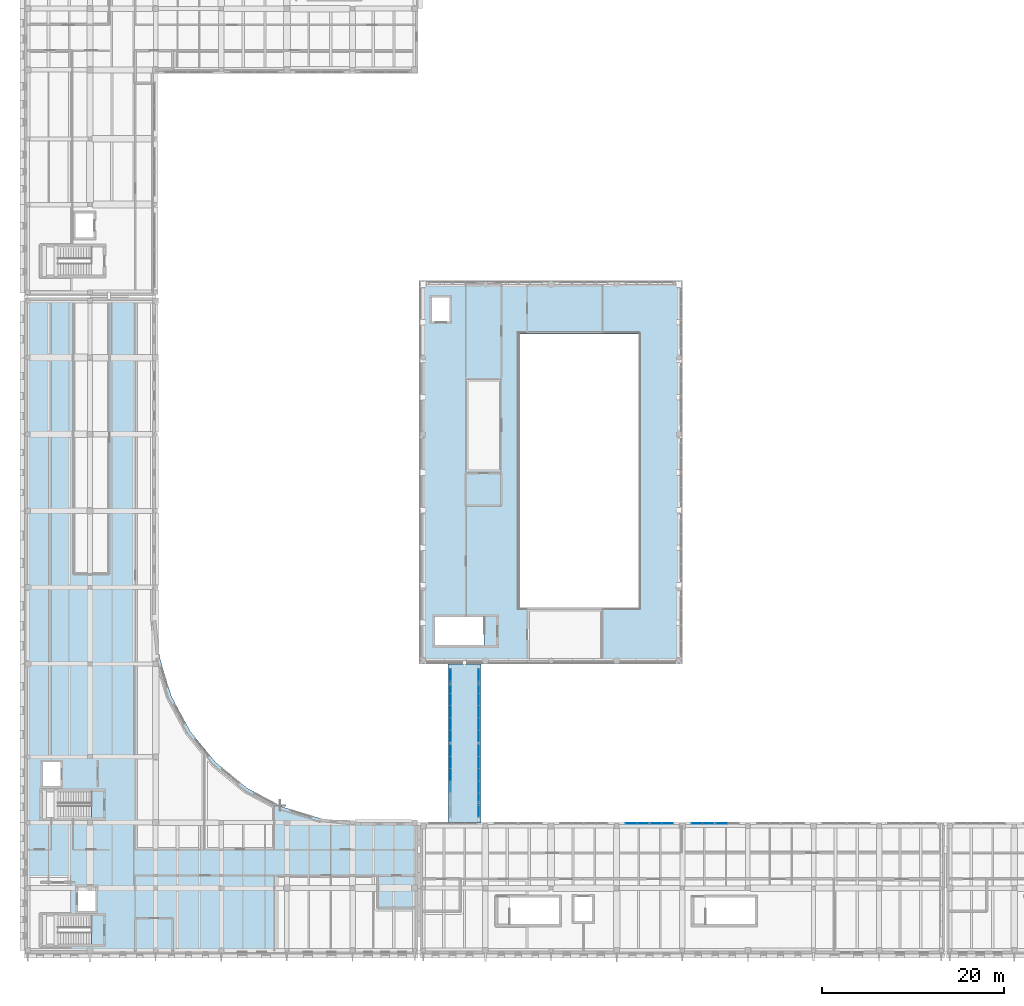
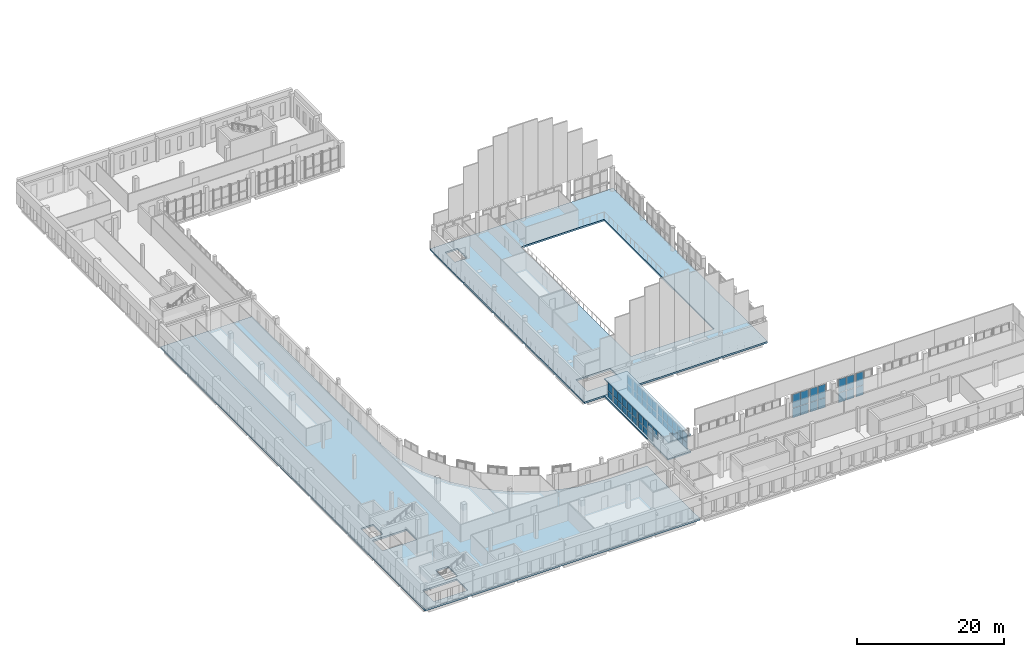
# One storey, part 39 of 76: 57 plates, 4 slabs, 8 elements without a shape of their own.
"""IFC4 building model written with IfcOpenShell, lengths in metres."""

from ifc_helpers import new_model, si_unit, direction, frame, origin, origin_2d, place, context, subcontext, project, spatial, polyline, rectangle, outline, extrude, material, layer, layer_set, type_object, element, aggregate, save


model = new_model("IFC4")

# Units and contexts
model_context = context("Model", 3, precision=1e-05, world=origin(), true_north=direction((0.0, 1.0)))
body_context = subcontext(model_context, "Body", "Model", "MODEL_VIEW")
ifc_project = project(units=[si_unit("LENGTHUNIT", "METRE"), si_unit("AREAUNIT", "SQUARE_METRE"), si_unit("VOLUMEUNIT", "CUBIC_METRE"), si_unit("PLANEANGLEUNIT", "RADIAN"), si_unit("MASSUNIT", "GRAM", prefix="KILO")], contexts=[model_context])

# Site, building, storey
site_placement = place(None, origin())
site = spatial("IfcSite", under=ifc_project, at=site_placement, CompositionType="ELEMENT")
building_placement = place(site_placement, origin())
building = spatial("IfcBuilding", under=site, at=building_placement, Name="Vardoun Plaza Health Centre", CompositionType="ELEMENT")
storey_placement = place(building_placement, frame((0.0, 0.0, 4.5)))
storey = spatial("IfcBuildingStorey", under=building, at=storey_placement, Name="L01", CompositionType="ELEMENT", Elevation=4.5)

# Curtain wall, plates
ifc_material_1 = material(Name="Aluminium Alloy EN AW-6063-T6 and Low-E Glass", Category="aluminium")
ifc_layer_1 = layer(ifc_material_1, 0.14990234375)
ifc_layer_set_1 = layer_set([ifc_layer_1], Name="Aluminium Alloy EN AW-6063-T6 and Low-E Glass")
curtain_wall_type = type_object("IfcCurtainWallType", Name="CW-03", PredefinedType="NOTDEFINED", material=ifc_layer_set_1)
curtain_wall_1_placement = place(storey_placement, origin())
curtain_wall_1 = element("IfcCurtainWall", 1, at=curtain_wall_1_placement, inside=storey, type_object=curtain_wall_type, Name="Curtain Wall CW-V4-123", PredefinedType="NOTDEFINED")
ifc_material_2 = material(Name="Solar-Control Double Low-E Glazing", Category="glass")
ifc_layer_2 = layer(ifc_material_2, 0.028076171875)
ifc_layer_set_2 = layer_set([ifc_layer_2], Name="Solar-Control Double Low-E Glazing")
plate_type = type_object("IfcPlateType", Name="CW-P1", PredefinedType="CURTAIN_PANEL", material=ifc_layer_set_2)
plate_1_placement = place(storey_placement, frame((71.094970703125, 18.780029296875, 0.06005859375), z_axis=(0.0, 0.0, 1.0), x_axis=(1.0, 0.0, 0.0)))
plate_1 = element("IfcPlate", 2, at=plate_1_placement, type_object=plate_type, Name="CW-V4-123 panel 1.1", PredefinedType="CURTAIN_PANEL", context=body_context, shape_type="SweptSolid", body=[
    extrude(rectangle(XDim=1.18994140625, YDim=0.028076171875, at=origin_2d()), origin(), (0.0, 0.0, 1.0), 1.587890625),
])
plate_2_placement = place(storey_placement, frame((71.094970703125, 18.780029296875, 1.7080078125), z_axis=(0.0, 0.0, 1.0), x_axis=(1.0, 0.0, 0.0)))
plate_2 = element("IfcPlate", 3, at=plate_2_placement, type_object=plate_type, Name="CW-V4-123 panel 1.2", PredefinedType="CURTAIN_PANEL", context=body_context, shape_type="SweptSolid", body=[
    extrude(rectangle(XDim=1.18994140625, YDim=0.028076171875, at=origin_2d()), origin(), (0.0, 0.0, 1.0), 2.22705078125),
])
plate_3_placement = place(storey_placement, frame((72.344970703125, 18.780029296875, 0.06005859375), z_axis=(0.0, 0.0, 1.0), x_axis=(1.0, 0.0, 0.0)))
plate_3 = element("IfcPlate", 4, at=plate_3_placement, type_object=plate_type, Name="CW-V4-123 panel 2.1", PredefinedType="CURTAIN_PANEL", context=body_context, shape_type="SweptSolid", body=[
    extrude(rectangle(XDim=1.18994140625, YDim=0.028076171875, at=origin_2d()), origin(), (0.0, 0.0, 1.0), 1.587890625),
])
plate_4_placement = place(storey_placement, frame((72.344970703125, 18.780029296875, 1.7080078125), z_axis=(0.0, 0.0, 1.0), x_axis=(1.0, 0.0, 0.0)))
plate_4 = element("IfcPlate", 5, at=plate_4_placement, type_object=plate_type, Name="CW-V4-123 panel 2.2", PredefinedType="CURTAIN_PANEL", context=body_context, shape_type="SweptSolid", body=[
    extrude(rectangle(XDim=1.18994140625, YDim=0.028076171875, at=origin_2d()), origin(), (0.0, 0.0, 1.0), 2.22705078125),
])
aggregate(curtain_wall_1, [plate_1, plate_2, plate_3, plate_4])

curtain_wall_2_placement = place(storey_placement, origin())
curtain_wall_2 = element("IfcCurtainWall", 6, at=curtain_wall_2_placement, inside=storey, type_object=curtain_wall_type, Name="Curtain Wall CW-V4-124", PredefinedType="NOTDEFINED")
plate_5_placement = place(storey_placement, frame((73.81494140625, 18.780029296875, 0.06005859375), z_axis=(0.0, 0.0, 1.0), x_axis=(1.0, 0.0, 0.0)))
plate_5 = element("IfcPlate", 7, at=plate_5_placement, type_object=plate_type, Name="CW-V4-124 panel 1.1", PredefinedType="CURTAIN_PANEL", context=body_context, shape_type="SweptSolid", body=[
    extrude(rectangle(XDim=1.18994140625, YDim=0.028076171875, at=origin_2d()), origin(), (0.0, 0.0, 1.0), 1.587890625),
])
plate_6_placement = place(storey_placement, frame((73.81494140625, 18.780029296875, 1.7080078125), z_axis=(0.0, 0.0, 1.0), x_axis=(1.0, 0.0, 0.0)))
plate_6 = element("IfcPlate", 8, at=plate_6_placement, type_object=plate_type, Name="CW-V4-124 panel 1.2", PredefinedType="CURTAIN_PANEL", context=body_context, shape_type="SweptSolid", body=[
    extrude(rectangle(XDim=1.18994140625, YDim=0.028076171875, at=origin_2d()), origin(), (0.0, 0.0, 1.0), 2.22705078125),
])
plate_7_placement = place(storey_placement, frame((75.06494140625, 18.780029296875, 0.06005859375), z_axis=(0.0, 0.0, 1.0), x_axis=(1.0, 0.0, 0.0)))
plate_7 = element("IfcPlate", 9, at=plate_7_placement, type_object=plate_type, Name="CW-V4-124 panel 2.1", PredefinedType="CURTAIN_PANEL", context=body_context, shape_type="SweptSolid", body=[
    extrude(rectangle(XDim=1.18994140625, YDim=0.028076171875, at=origin_2d()), origin(), (0.0, 0.0, 1.0), 1.587890625),
])
plate_8_placement = place(storey_placement, frame((75.06494140625, 18.780029296875, 1.7080078125), z_axis=(0.0, 0.0, 1.0), x_axis=(1.0, 0.0, 0.0)))
plate_8 = element("IfcPlate", 10, at=plate_8_placement, type_object=plate_type, Name="CW-V4-124 panel 2.2", PredefinedType="CURTAIN_PANEL", context=body_context, shape_type="SweptSolid", body=[
    extrude(rectangle(XDim=1.18994140625, YDim=0.028076171875, at=origin_2d()), origin(), (0.0, 0.0, 1.0), 2.22705078125),
])
aggregate(curtain_wall_2, [plate_5, plate_6, plate_7, plate_8])

curtain_wall_3_placement = place(storey_placement, origin())
curtain_wall_3 = element("IfcCurtainWall", 11, at=curtain_wall_3_placement, inside=storey, type_object=curtain_wall_type, Name="Curtain Wall CW-V4-125", PredefinedType="NOTDEFINED")
plate_9_placement = place(storey_placement, frame((78.294921875, 18.780029296875, 0.06005859375), z_axis=(0.0, 0.0, 1.0), x_axis=(1.0, 0.0, 0.0)))
plate_9 = element("IfcPlate", 12, at=plate_9_placement, type_object=plate_type, Name="CW-V4-125 panel 1.1", PredefinedType="CURTAIN_PANEL", context=body_context, shape_type="SweptSolid", body=[
    extrude(rectangle(XDim=1.18994140625, YDim=0.028076171875, at=origin_2d()), origin(), (0.0, 0.0, 1.0), 1.587890625),
])
plate_10_placement = place(storey_placement, frame((78.294921875, 18.780029296875, 1.7080078125), z_axis=(0.0, 0.0, 1.0), x_axis=(1.0, 0.0, 0.0)))
plate_10 = element("IfcPlate", 13, at=plate_10_placement, type_object=plate_type, Name="CW-V4-125 panel 1.2", PredefinedType="CURTAIN_PANEL", context=body_context, shape_type="SweptSolid", body=[
    extrude(rectangle(XDim=1.18994140625, YDim=0.028076171875, at=origin_2d()), origin(), (0.0, 0.0, 1.0), 2.22705078125),
])
plate_11_placement = place(storey_placement, frame((79.544921875, 18.780029296875, 0.06005859375), z_axis=(0.0, 0.0, 1.0), x_axis=(1.0, 0.0, 0.0)))
plate_11 = element("IfcPlate", 14, at=plate_11_placement, type_object=plate_type, Name="CW-V4-125 panel 2.1", PredefinedType="CURTAIN_PANEL", context=body_context, shape_type="SweptSolid", body=[
    extrude(rectangle(XDim=1.18994140625, YDim=0.028076171875, at=origin_2d()), origin(), (0.0, 0.0, 1.0), 1.587890625),
])
plate_12_placement = place(storey_placement, frame((79.544921875, 18.780029296875, 1.7080078125), z_axis=(0.0, 0.0, 1.0), x_axis=(1.0, 0.0, 0.0)))
plate_12 = element("IfcPlate", 15, at=plate_12_placement, type_object=plate_type, Name="CW-V4-125 panel 2.2", PredefinedType="CURTAIN_PANEL", context=body_context, shape_type="SweptSolid", body=[
    extrude(rectangle(XDim=1.18994140625, YDim=0.028076171875, at=origin_2d()), origin(), (0.0, 0.0, 1.0), 2.22705078125),
])
aggregate(curtain_wall_3, [plate_9, plate_10, plate_11, plate_12])

curtain_wall_4_placement = place(storey_placement, origin())
curtain_wall_4 = element("IfcCurtainWall", 16, at=curtain_wall_4_placement, inside=storey, type_object=curtain_wall_type, Name="Curtain Wall CW-V4-126", PredefinedType="NOTDEFINED")
plate_13_placement = place(storey_placement, frame((81.014892578125, 18.780029296875, 0.06005859375), z_axis=(0.0, 0.0, 1.0), x_axis=(1.0, 0.0, 0.0)))
plate_13 = element("IfcPlate", 17, at=plate_13_placement, type_object=plate_type, Name="CW-V4-126 panel 1.1", PredefinedType="CURTAIN_PANEL", context=body_context, shape_type="SweptSolid", body=[
    extrude(rectangle(XDim=1.18994140625, YDim=0.028076171875, at=origin_2d()), origin(), (0.0, 0.0, 1.0), 1.587890625),
])
plate_14_placement = place(storey_placement, frame((81.014892578125, 18.780029296875, 1.7080078125), z_axis=(0.0, 0.0, 1.0), x_axis=(1.0, 0.0, 0.0)))
plate_14 = element("IfcPlate", 18, at=plate_14_placement, type_object=plate_type, Name="CW-V4-126 panel 1.2", PredefinedType="CURTAIN_PANEL", context=body_context, shape_type="SweptSolid", body=[
    extrude(rectangle(XDim=1.18994140625, YDim=0.028076171875, at=origin_2d()), origin(), (0.0, 0.0, 1.0), 2.22705078125),
])
aggregate(curtain_wall_4, [plate_13, plate_14])

curtain_wall_5_placement = place(storey_placement, origin())
curtain_wall_5 = element("IfcCurtainWall", 19, at=curtain_wall_5_placement, inside=storey, type_object=curtain_wall_type, Name="Curtain Wall CW-BR-6WS", PredefinedType="NOTDEFINED")
plate_15_placement = place(storey_placement, frame((51.25, 22.80419921875, 1.14306640625), z_axis=(0.0, 0.0, 1.0), x_axis=(0.0, 1.0, 0.0)))
plate_15 = element("IfcPlate", 20, at=plate_15_placement, type_object=plate_type, Name="CW-BR-6WS panel 3.2", PredefinedType="CURTAIN_PANEL", context=body_context, shape_type="SweptSolid", body=[
    extrude(rectangle(XDim=1.28173828125, YDim=0.028076171875, at=origin_2d()), origin(), (0.0, 0.0, 1.0), 1.447021484375),
])
plate_16_placement = place(storey_placement, frame((51.25, 24.145751953125, 0.06005859375), z_axis=(0.0, 0.0, 1.0), x_axis=(0.0, 1.0, 0.0)))
plate_16 = element("IfcPlate", 21, at=plate_16_placement, type_object=plate_type, Name="CW-BR-6WS panel 4.1", PredefinedType="CURTAIN_PANEL", context=body_context, shape_type="SweptSolid", body=[
    extrude(rectangle(XDim=1.28173828125, YDim=0.028076171875, at=origin_2d()), origin(), (0.0, 0.0, 1.0), 1.02294921875),
])
plate_17_placement = place(storey_placement, frame((51.25, 24.145751953125, 1.14306640625), z_axis=(0.0, 0.0, 1.0), x_axis=(0.0, 1.0, 0.0)))
plate_17 = element("IfcPlate", 22, at=plate_17_placement, type_object=plate_type, Name="CW-BR-6WS panel 4.2", PredefinedType="CURTAIN_PANEL", context=body_context, shape_type="SweptSolid", body=[
    extrude(rectangle(XDim=1.28173828125, YDim=0.028076171875, at=origin_2d()), origin(), (0.0, 0.0, 1.0), 1.447021484375),
])
plate_18_placement = place(storey_placement, frame((51.25, 25.487548828125, 0.06005859375), z_axis=(0.0, 0.0, 1.0), x_axis=(0.0, 1.0, 0.0)))
plate_18 = element("IfcPlate", 23, at=plate_18_placement, type_object=plate_type, Name="CW-BR-6WS panel 5.1", PredefinedType="CURTAIN_PANEL", context=body_context, shape_type="SweptSolid", body=[
    extrude(rectangle(XDim=1.28173828125, YDim=0.028076171875, at=origin_2d()), origin(), (0.0, 0.0, 1.0), 1.02294921875),
])
plate_19_placement = place(storey_placement, frame((51.25, 25.487548828125, 1.14306640625), z_axis=(0.0, 0.0, 1.0), x_axis=(0.0, 1.0, 0.0)))
plate_19 = element("IfcPlate", 24, at=plate_19_placement, type_object=plate_type, Name="CW-BR-6WS panel 5.2", PredefinedType="CURTAIN_PANEL", context=body_context, shape_type="SweptSolid", body=[
    extrude(rectangle(XDim=1.28173828125, YDim=0.028076171875, at=origin_2d()), origin(), (0.0, 0.0, 1.0), 1.447021484375),
])
plate_20_placement = place(storey_placement, frame((51.25, 26.814208984375, 0.06005859375), z_axis=(0.0, 0.0, 1.0), x_axis=(0.0, 1.0, 0.0)))
plate_20 = element("IfcPlate", 25, at=plate_20_placement, type_object=plate_type, Name="CW-BR-6WS panel 6.1", PredefinedType="CURTAIN_PANEL", context=body_context, shape_type="SweptSolid", body=[
    extrude(rectangle(XDim=1.251708984375, YDim=0.028076171875, at=origin_2d()), origin(), (0.0, 0.0, 1.0), 1.02294921875),
])
plate_21_placement = place(storey_placement, frame((51.25, 26.814208984375, 1.14306640625), z_axis=(0.0, 0.0, 1.0), x_axis=(0.0, 1.0, 0.0)))
plate_21 = element("IfcPlate", 26, at=plate_21_placement, type_object=plate_type, Name="CW-BR-6WS panel 6.2", PredefinedType="CURTAIN_PANEL", context=body_context, shape_type="SweptSolid", body=[
    extrude(rectangle(XDim=1.251708984375, YDim=0.028076171875, at=origin_2d()), origin(), (0.0, 0.0, 1.0), 1.447021484375),
])
aggregate(curtain_wall_5, [plate_15, plate_16, plate_17, plate_18, plate_19, plate_20, plate_21])

curtain_wall_6_placement = place(storey_placement, origin())
curtain_wall_6 = element("IfcCurtainWall", 27, at=curtain_wall_6_placement, inside=storey, type_object=curtain_wall_type, Name="Curtain Wall CW-BR-6ES", PredefinedType="NOTDEFINED")
plate_22_placement = place(storey_placement, frame((54.35009765625, 26.814208984375, 0.06005859375), z_axis=(0.0, 0.0, 1.0), x_axis=(0.0, -1.0, 0.0)))
plate_22 = element("IfcPlate", 28, at=plate_22_placement, type_object=plate_type, Name="CW-BR-6ES panel 1.1", PredefinedType="CURTAIN_PANEL", context=body_context, shape_type="SweptSolid", body=[
    extrude(rectangle(XDim=1.251708984375, YDim=0.028076171875, at=origin_2d()), origin(), (0.0, 0.0, 1.0), 1.02294921875),
])
plate_23_placement = place(storey_placement, frame((54.35009765625, 26.814208984375, 1.14306640625), z_axis=(0.0, 0.0, 1.0), x_axis=(0.0, -1.0, 0.0)))
plate_23 = element("IfcPlate", 29, at=plate_23_placement, type_object=plate_type, Name="CW-BR-6ES panel 1.2", PredefinedType="CURTAIN_PANEL", context=body_context, shape_type="SweptSolid", body=[
    extrude(rectangle(XDim=1.251708984375, YDim=0.028076171875, at=origin_2d()), origin(), (0.0, 0.0, 1.0), 1.447021484375),
])
plate_24_placement = place(storey_placement, frame((54.35009765625, 25.487548828125, 0.06005859375), z_axis=(0.0, 0.0, 1.0), x_axis=(0.0, -1.0, 0.0)))
plate_24 = element("IfcPlate", 30, at=plate_24_placement, type_object=plate_type, Name="CW-BR-6ES panel 2.1", PredefinedType="CURTAIN_PANEL", context=body_context, shape_type="SweptSolid", body=[
    extrude(rectangle(XDim=1.28173828125, YDim=0.028076171875, at=origin_2d()), origin(), (0.0, 0.0, 1.0), 1.02294921875),
])
plate_25_placement = place(storey_placement, frame((54.35009765625, 25.487548828125, 1.14306640625), z_axis=(0.0, 0.0, 1.0), x_axis=(0.0, -1.0, 0.0)))
plate_25 = element("IfcPlate", 31, at=plate_25_placement, type_object=plate_type, Name="CW-BR-6ES panel 2.2", PredefinedType="CURTAIN_PANEL", context=body_context, shape_type="SweptSolid", body=[
    extrude(rectangle(XDim=1.28173828125, YDim=0.028076171875, at=origin_2d()), origin(), (0.0, 0.0, 1.0), 1.447021484375),
])
plate_26_placement = place(storey_placement, frame((54.35009765625, 24.145751953125, 0.06005859375), z_axis=(0.0, 0.0, 1.0), x_axis=(0.0, -1.0, 0.0)))
plate_26 = element("IfcPlate", 32, at=plate_26_placement, type_object=plate_type, Name="CW-BR-6ES panel 3.1", PredefinedType="CURTAIN_PANEL", context=body_context, shape_type="SweptSolid", body=[
    extrude(rectangle(XDim=1.28173828125, YDim=0.028076171875, at=origin_2d()), origin(), (0.0, 0.0, 1.0), 1.02294921875),
])
plate_27_placement = place(storey_placement, frame((54.35009765625, 24.145751953125, 1.14306640625), z_axis=(0.0, 0.0, 1.0), x_axis=(0.0, -1.0, 0.0)))
plate_27 = element("IfcPlate", 33, at=plate_27_placement, type_object=plate_type, Name="CW-BR-6ES panel 3.2", PredefinedType="CURTAIN_PANEL", context=body_context, shape_type="SweptSolid", body=[
    extrude(rectangle(XDim=1.28173828125, YDim=0.028076171875, at=origin_2d()), origin(), (0.0, 0.0, 1.0), 1.447021484375),
])
plate_28_placement = place(storey_placement, frame((54.35009765625, 22.80419921875, 0.06005859375), z_axis=(0.0, 0.0, 1.0), x_axis=(0.0, -1.0, 0.0)))
plate_28 = element("IfcPlate", 34, at=plate_28_placement, type_object=plate_type, Name="CW-BR-6ES panel 4.1", PredefinedType="CURTAIN_PANEL", context=body_context, shape_type="SweptSolid", body=[
    extrude(rectangle(XDim=1.28173828125, YDim=0.028076171875, at=origin_2d()), origin(), (0.0, 0.0, 1.0), 1.02294921875),
])
plate_29_placement = place(storey_placement, frame((54.35009765625, 22.80419921875, 1.14306640625), z_axis=(0.0, 0.0, 1.0), x_axis=(0.0, -1.0, 0.0)))
plate_29 = element("IfcPlate", 35, at=plate_29_placement, type_object=plate_type, Name="CW-BR-6ES panel 4.2", PredefinedType="CURTAIN_PANEL", context=body_context, shape_type="SweptSolid", body=[
    extrude(rectangle(XDim=1.28173828125, YDim=0.028076171875, at=origin_2d()), origin(), (0.0, 0.0, 1.0), 1.447021484375),
])
plate_30_placement = place(storey_placement, frame((54.35009765625, 21.46240234375, 0.06005859375), z_axis=(0.0, 0.0, 1.0), x_axis=(0.0, -1.0, 0.0)))
plate_30 = element("IfcPlate", 36, at=plate_30_placement, type_object=plate_type, Name="CW-BR-6ES panel 5.1", PredefinedType="CURTAIN_PANEL", context=body_context, shape_type="SweptSolid", body=[
    extrude(rectangle(XDim=1.28173828125, YDim=0.028076171875, at=origin_2d()), origin(), (0.0, 0.0, 1.0), 1.02294921875),
])
plate_31_placement = place(storey_placement, frame((54.35009765625, 21.46240234375, 1.14306640625), z_axis=(0.0, 0.0, 1.0), x_axis=(0.0, -1.0, 0.0)))
plate_31 = element("IfcPlate", 37, at=plate_31_placement, type_object=plate_type, Name="CW-BR-6ES panel 5.2", PredefinedType="CURTAIN_PANEL", context=body_context, shape_type="SweptSolid", body=[
    extrude(rectangle(XDim=1.28173828125, YDim=0.028076171875, at=origin_2d()), origin(), (0.0, 0.0, 1.0), 1.447021484375),
])
plate_32_placement = place(storey_placement, frame((54.35009765625, 20.1357421875, 0.06005859375), z_axis=(0.0, 0.0, 1.0), x_axis=(0.0, -1.0, 0.0)))
plate_32 = element("IfcPlate", 38, at=plate_32_placement, type_object=plate_type, Name="CW-BR-6ES panel 6.1", PredefinedType="CURTAIN_PANEL", context=body_context, shape_type="SweptSolid", body=[
    extrude(rectangle(XDim=1.251708984375, YDim=0.028076171875, at=origin_2d()), origin(), (0.0, 0.0, 1.0), 1.02294921875),
])
plate_33_placement = place(storey_placement, frame((54.35009765625, 20.1357421875, 1.14306640625), z_axis=(0.0, 0.0, 1.0), x_axis=(0.0, -1.0, 0.0)))
plate_33 = element("IfcPlate", 39, at=plate_33_placement, type_object=plate_type, Name="CW-BR-6ES panel 6.2", PredefinedType="CURTAIN_PANEL", context=body_context, shape_type="SweptSolid", body=[
    extrude(rectangle(XDim=1.251708984375, YDim=0.028076171875, at=origin_2d()), origin(), (0.0, 0.0, 1.0), 1.447021484375),
])
aggregate(curtain_wall_6, [plate_22, plate_23, plate_24, plate_25, plate_26, plate_27, plate_28, plate_29, plate_30, plate_31, plate_32, plate_33])

curtain_wall_7_placement = place(storey_placement, origin())
curtain_wall_7 = element("IfcCurtainWall", 40, at=curtain_wall_7_placement, inside=storey, type_object=curtain_wall_type, Name="Curtain Wall CW-BR-6WN", PredefinedType="NOTDEFINED")
plate_34_placement = place(storey_placement, frame((51.25, 28.3857421875, 0.06005859375), z_axis=(0.0, 0.0, 1.0), x_axis=(0.0, 1.0, 0.0)))
plate_34 = element("IfcPlate", 41, at=plate_34_placement, type_object=plate_type, Name="CW-BR-6WN panel 1.1", PredefinedType="CURTAIN_PANEL", context=body_context, shape_type="SweptSolid", body=[
    extrude(rectangle(XDim=1.251708984375, YDim=0.028076171875, at=origin_2d()), origin(), (0.0, 0.0, 1.0), 1.02294921875),
])
plate_35_placement = place(storey_placement, frame((51.25, 28.3857421875, 1.14306640625), z_axis=(0.0, 0.0, 1.0), x_axis=(0.0, 1.0, 0.0)))
plate_35 = element("IfcPlate", 42, at=plate_35_placement, type_object=plate_type, Name="CW-BR-6WN panel 1.2", PredefinedType="CURTAIN_PANEL", context=body_context, shape_type="SweptSolid", body=[
    extrude(rectangle(XDim=1.251708984375, YDim=0.028076171875, at=origin_2d()), origin(), (0.0, 0.0, 1.0), 1.447021484375),
])
plate_36_placement = place(storey_placement, frame((51.25, 29.71240234375, 0.06005859375), z_axis=(0.0, 0.0, 1.0), x_axis=(0.0, 1.0, 0.0)))
plate_36 = element("IfcPlate", 43, at=plate_36_placement, type_object=plate_type, Name="CW-BR-6WN panel 2.1", PredefinedType="CURTAIN_PANEL", context=body_context, shape_type="SweptSolid", body=[
    extrude(rectangle(XDim=1.28173828125, YDim=0.028076171875, at=origin_2d()), origin(), (0.0, 0.0, 1.0), 1.02294921875),
])
plate_37_placement = place(storey_placement, frame((51.25, 29.71240234375, 1.14306640625), z_axis=(0.0, 0.0, 1.0), x_axis=(0.0, 1.0, 0.0)))
plate_37 = element("IfcPlate", 44, at=plate_37_placement, type_object=plate_type, Name="CW-BR-6WN panel 2.2", PredefinedType="CURTAIN_PANEL", context=body_context, shape_type="SweptSolid", body=[
    extrude(rectangle(XDim=1.28173828125, YDim=0.028076171875, at=origin_2d()), origin(), (0.0, 0.0, 1.0), 1.447021484375),
])
plate_38_placement = place(storey_placement, frame((51.25, 31.05419921875, 0.06005859375), z_axis=(0.0, 0.0, 1.0), x_axis=(0.0, 1.0, 0.0)))
plate_38 = element("IfcPlate", 45, at=plate_38_placement, type_object=plate_type, Name="CW-BR-6WN panel 3.1", PredefinedType="CURTAIN_PANEL", context=body_context, shape_type="SweptSolid", body=[
    extrude(rectangle(XDim=1.28173828125, YDim=0.028076171875, at=origin_2d()), origin(), (0.0, 0.0, 1.0), 1.02294921875),
])
plate_39_placement = place(storey_placement, frame((51.25, 31.05419921875, 1.14306640625), z_axis=(0.0, 0.0, 1.0), x_axis=(0.0, 1.0, 0.0)))
plate_39 = element("IfcPlate", 46, at=plate_39_placement, type_object=plate_type, Name="CW-BR-6WN panel 3.2", PredefinedType="CURTAIN_PANEL", context=body_context, shape_type="SweptSolid", body=[
    extrude(rectangle(XDim=1.28173828125, YDim=0.028076171875, at=origin_2d()), origin(), (0.0, 0.0, 1.0), 1.447021484375),
])
plate_40_placement = place(storey_placement, frame((51.25, 32.395751953125, 0.06005859375), z_axis=(0.0, 0.0, 1.0), x_axis=(0.0, 1.0, 0.0)))
plate_40 = element("IfcPlate", 47, at=plate_40_placement, type_object=plate_type, Name="CW-BR-6WN panel 4.1", PredefinedType="CURTAIN_PANEL", context=body_context, shape_type="SweptSolid", body=[
    extrude(rectangle(XDim=1.28173828125, YDim=0.028076171875, at=origin_2d()), origin(), (0.0, 0.0, 1.0), 1.02294921875),
])
plate_41_placement = place(storey_placement, frame((51.25, 32.395751953125, 1.14306640625), z_axis=(0.0, 0.0, 1.0), x_axis=(0.0, 1.0, 0.0)))
plate_41 = element("IfcPlate", 48, at=plate_41_placement, type_object=plate_type, Name="CW-BR-6WN panel 4.2", PredefinedType="CURTAIN_PANEL", context=body_context, shape_type="SweptSolid", body=[
    extrude(rectangle(XDim=1.28173828125, YDim=0.028076171875, at=origin_2d()), origin(), (0.0, 0.0, 1.0), 1.447021484375),
])
plate_42_placement = place(storey_placement, frame((51.25, 33.737548828125, 0.06005859375), z_axis=(0.0, 0.0, 1.0), x_axis=(0.0, 1.0, 0.0)))
plate_42 = element("IfcPlate", 49, at=plate_42_placement, type_object=plate_type, Name="CW-BR-6WN panel 5.1", PredefinedType="CURTAIN_PANEL", context=body_context, shape_type="SweptSolid", body=[
    extrude(rectangle(XDim=1.28173828125, YDim=0.028076171875, at=origin_2d()), origin(), (0.0, 0.0, 1.0), 1.02294921875),
])
plate_43_placement = place(storey_placement, frame((51.25, 33.737548828125, 1.14306640625), z_axis=(0.0, 0.0, 1.0), x_axis=(0.0, 1.0, 0.0)))
plate_43 = element("IfcPlate", 50, at=plate_43_placement, type_object=plate_type, Name="CW-BR-6WN panel 5.2", PredefinedType="CURTAIN_PANEL", context=body_context, shape_type="SweptSolid", body=[
    extrude(rectangle(XDim=1.28173828125, YDim=0.028076171875, at=origin_2d()), origin(), (0.0, 0.0, 1.0), 1.447021484375),
])
plate_44_placement = place(storey_placement, frame((51.25, 35.064208984375, 0.06005859375), z_axis=(0.0, 0.0, 1.0), x_axis=(0.0, 1.0, 0.0)))
plate_44 = element("IfcPlate", 51, at=plate_44_placement, type_object=plate_type, Name="CW-BR-6WN panel 6.1", PredefinedType="CURTAIN_PANEL", context=body_context, shape_type="SweptSolid", body=[
    extrude(rectangle(XDim=1.251708984375, YDim=0.028076171875, at=origin_2d()), origin(), (0.0, 0.0, 1.0), 1.02294921875),
])
plate_45_placement = place(storey_placement, frame((51.25, 35.064208984375, 1.14306640625), z_axis=(0.0, 0.0, 1.0), x_axis=(0.0, 1.0, 0.0)))
plate_45 = element("IfcPlate", 52, at=plate_45_placement, type_object=plate_type, Name="CW-BR-6WN panel 6.2", PredefinedType="CURTAIN_PANEL", context=body_context, shape_type="SweptSolid", body=[
    extrude(rectangle(XDim=1.251708984375, YDim=0.028076171875, at=origin_2d()), origin(), (0.0, 0.0, 1.0), 1.447021484375),
])
aggregate(curtain_wall_7, [plate_34, plate_35, plate_36, plate_37, plate_38, plate_39, plate_40, plate_41, plate_42, plate_43, plate_44, plate_45])

curtain_wall_8_placement = place(storey_placement, origin())
curtain_wall_8 = element("IfcCurtainWall", 53, at=curtain_wall_8_placement, inside=storey, type_object=curtain_wall_type, Name="Curtain Wall CW-BR-6EN", PredefinedType="NOTDEFINED")
plate_46_placement = place(storey_placement, frame((54.35009765625, 35.064208984375, 0.06005859375), z_axis=(0.0, 0.0, 1.0), x_axis=(0.0, -1.0, 0.0)))
plate_46 = element("IfcPlate", 54, at=plate_46_placement, type_object=plate_type, Name="CW-BR-6EN panel 1.1", PredefinedType="CURTAIN_PANEL", context=body_context, shape_type="SweptSolid", body=[
    extrude(rectangle(XDim=1.251708984375, YDim=0.028076171875, at=origin_2d()), origin(), (0.0, 0.0, 1.0), 1.02294921875),
])
plate_47_placement = place(storey_placement, frame((54.35009765625, 35.064208984375, 1.14306640625), z_axis=(0.0, 0.0, 1.0), x_axis=(0.0, -1.0, 0.0)))
plate_47 = element("IfcPlate", 55, at=plate_47_placement, type_object=plate_type, Name="CW-BR-6EN panel 1.2", PredefinedType="CURTAIN_PANEL", context=body_context, shape_type="SweptSolid", body=[
    extrude(rectangle(XDim=1.251708984375, YDim=0.028076171875, at=origin_2d()), origin(), (0.0, 0.0, 1.0), 1.447021484375),
])
plate_48_placement = place(storey_placement, frame((54.35009765625, 33.737548828125, 0.06005859375), z_axis=(0.0, 0.0, 1.0), x_axis=(0.0, -1.0, 0.0)))
plate_48 = element("IfcPlate", 56, at=plate_48_placement, type_object=plate_type, Name="CW-BR-6EN panel 2.1", PredefinedType="CURTAIN_PANEL", context=body_context, shape_type="SweptSolid", body=[
    extrude(rectangle(XDim=1.28173828125, YDim=0.028076171875, at=origin_2d()), origin(), (0.0, 0.0, 1.0), 1.02294921875),
])
plate_49_placement = place(storey_placement, frame((54.35009765625, 33.737548828125, 1.14306640625), z_axis=(0.0, 0.0, 1.0), x_axis=(0.0, -1.0, 0.0)))
plate_49 = element("IfcPlate", 57, at=plate_49_placement, type_object=plate_type, Name="CW-BR-6EN panel 2.2", PredefinedType="CURTAIN_PANEL", context=body_context, shape_type="SweptSolid", body=[
    extrude(rectangle(XDim=1.28173828125, YDim=0.028076171875, at=origin_2d()), origin(), (0.0, 0.0, 1.0), 1.447021484375),
])
plate_50_placement = place(storey_placement, frame((54.35009765625, 32.395751953125, 0.06005859375), z_axis=(0.0, 0.0, 1.0), x_axis=(0.0, -1.0, 0.0)))
plate_50 = element("IfcPlate", 58, at=plate_50_placement, type_object=plate_type, Name="CW-BR-6EN panel 3.1", PredefinedType="CURTAIN_PANEL", context=body_context, shape_type="SweptSolid", body=[
    extrude(rectangle(XDim=1.28173828125, YDim=0.028076171875, at=origin_2d()), origin(), (0.0, 0.0, 1.0), 1.02294921875),
])
plate_51_placement = place(storey_placement, frame((54.35009765625, 32.395751953125, 1.14306640625), z_axis=(0.0, 0.0, 1.0), x_axis=(0.0, -1.0, 0.0)))
plate_51 = element("IfcPlate", 59, at=plate_51_placement, type_object=plate_type, Name="CW-BR-6EN panel 3.2", PredefinedType="CURTAIN_PANEL", context=body_context, shape_type="SweptSolid", body=[
    extrude(rectangle(XDim=1.28173828125, YDim=0.028076171875, at=origin_2d()), origin(), (0.0, 0.0, 1.0), 1.447021484375),
])
plate_52_placement = place(storey_placement, frame((54.35009765625, 31.05419921875, 0.06005859375), z_axis=(0.0, 0.0, 1.0), x_axis=(0.0, -1.0, 0.0)))
plate_52 = element("IfcPlate", 60, at=plate_52_placement, type_object=plate_type, Name="CW-BR-6EN panel 4.1", PredefinedType="CURTAIN_PANEL", context=body_context, shape_type="SweptSolid", body=[
    extrude(rectangle(XDim=1.28173828125, YDim=0.028076171875, at=origin_2d()), origin(), (0.0, 0.0, 1.0), 1.02294921875),
])
plate_53_placement = place(storey_placement, frame((54.35009765625, 31.05419921875, 1.14306640625), z_axis=(0.0, 0.0, 1.0), x_axis=(0.0, -1.0, 0.0)))
plate_53 = element("IfcPlate", 61, at=plate_53_placement, type_object=plate_type, Name="CW-BR-6EN panel 4.2", PredefinedType="CURTAIN_PANEL", context=body_context, shape_type="SweptSolid", body=[
    extrude(rectangle(XDim=1.28173828125, YDim=0.028076171875, at=origin_2d()), origin(), (0.0, 0.0, 1.0), 1.447021484375),
])
plate_54_placement = place(storey_placement, frame((54.35009765625, 29.71240234375, 0.06005859375), z_axis=(0.0, 0.0, 1.0), x_axis=(0.0, -1.0, 0.0)))
plate_54 = element("IfcPlate", 62, at=plate_54_placement, type_object=plate_type, Name="CW-BR-6EN panel 5.1", PredefinedType="CURTAIN_PANEL", context=body_context, shape_type="SweptSolid", body=[
    extrude(rectangle(XDim=1.28173828125, YDim=0.028076171875, at=origin_2d()), origin(), (0.0, 0.0, 1.0), 1.02294921875),
])
plate_55_placement = place(storey_placement, frame((54.35009765625, 29.71240234375, 1.14306640625), z_axis=(0.0, 0.0, 1.0), x_axis=(0.0, -1.0, 0.0)))
plate_55 = element("IfcPlate", 63, at=plate_55_placement, type_object=plate_type, Name="CW-BR-6EN panel 5.2", PredefinedType="CURTAIN_PANEL", context=body_context, shape_type="SweptSolid", body=[
    extrude(rectangle(XDim=1.28173828125, YDim=0.028076171875, at=origin_2d()), origin(), (0.0, 0.0, 1.0), 1.447021484375),
])
plate_56_placement = place(storey_placement, frame((54.35009765625, 28.3857421875, 0.06005859375), z_axis=(0.0, 0.0, 1.0), x_axis=(0.0, -1.0, 0.0)))
plate_56 = element("IfcPlate", 64, at=plate_56_placement, type_object=plate_type, Name="CW-BR-6EN panel 6.1", PredefinedType="CURTAIN_PANEL", context=body_context, shape_type="SweptSolid", body=[
    extrude(rectangle(XDim=1.251708984375, YDim=0.028076171875, at=origin_2d()), origin(), (0.0, 0.0, 1.0), 1.02294921875),
])
plate_57_placement = place(storey_placement, frame((54.35009765625, 28.3857421875, 1.14306640625), z_axis=(0.0, 0.0, 1.0), x_axis=(0.0, -1.0, 0.0)))
plate_57 = element("IfcPlate", 65, at=plate_57_placement, type_object=plate_type, Name="CW-BR-6EN panel 6.2", PredefinedType="CURTAIN_PANEL", context=body_context, shape_type="SweptSolid", body=[
    extrude(rectangle(XDim=1.251708984375, YDim=0.028076171875, at=origin_2d()), origin(), (0.0, 0.0, 1.0), 1.447021484375),
])
aggregate(curtain_wall_8, [plate_46, plate_47, plate_48, plate_49, plate_50, plate_51, plate_52, plate_53, plate_54, plate_55, plate_56, plate_57])

# Slabs
ifc_material_3 = material(Name="Pale Limestone Concrete C35/45", Category="masonry")
ifc_layer_3 = layer(ifc_material_3, 0.175048828125)
ifc_layer_set_3 = layer_set([ifc_layer_3], Name="Pale Limestone Concrete C35/45")
slab_type_1 = type_object("IfcSlabType", Name="RF-05", PredefinedType="ROOF", material=ifc_layer_set_3)
slab_1_placement = place(storey_placement, frame((0.0, 0.0, 2.64990234375)))
element("IfcSlab", 66, at=slab_1_placement, inside=storey, type_object=slab_type_1, Name="Covered Passage BR-06 Roof Slab", PredefinedType="ROOF", context=body_context, shape_type="SweptSolid", body=[
    extrude(outline(polyline([(51.0, 18.89990234375), (54.60009765625, 18.89990234375), (54.60009765625, 36.300048828125), (51.0, 36.300048828125), (51.0, 18.89990234375)])), origin(), (0.0, 0.0, 1.0), 0.175048828125),
])
ifc_material_4 = material(Name="Concrete C35/45", Category="concrete")
ifc_layer_4 = layer(ifc_material_4, 0.219970703125)
ifc_layer_set_4 = layer_set([ifc_layer_4], Name="Concrete C35/45")
slab_type_2 = type_object("IfcSlabType", Name="SL-06", PredefinedType="FLOOR", material=ifc_layer_set_4)
slab_2_placement = place(storey_placement, frame((0.0, 0.0, -0.219970703125)))
element("IfcSlab", 67, at=slab_2_placement, inside=storey, type_object=slab_type_2, Name="Seismic Link Bridge BR-06 Deck", PredefinedType="FLOOR", context=body_context, shape_type="SweptSolid", body=[
    extrude(outline(polyline([(51.0, 18.89990234375), (54.60009765625, 18.89990234375), (54.60009765625, 36.300048828125), (51.0, 36.300048828125), (51.0, 18.89990234375)])), origin(), (0.0, 0.0, 1.0), 0.219970703125),
])
ifc_material_5 = material(Name="Concrete C35/45", Category="concrete")
ifc_layer_5 = layer(ifc_material_5, 0.280029296875)
ifc_layer_set_5 = layer_set([ifc_layer_5], Name="Concrete C35/45")
slab_type_3 = type_object("IfcSlabType", Name="SL-03", PredefinedType="FLOOR", material=ifc_layer_set_5)
slab_3_placement = place(storey_placement, frame((0.0, 0.0, -0.280029296875)))
element("IfcSlab", 68, at=slab_3_placement, inside=storey, type_object=slab_type_3, Name="V1 L01 Structural Slab", PredefinedType="FLOOR", context=body_context, shape_type="SweptSolid", body=[
    extrude(outline(polyline([(47.8798828125, 36.300048828125), (76.679931640625, 36.300048828125), (76.679931640625, 78.300048828125), (47.8798828125, 78.300048828125), (47.8798828125, 36.300048828125)]), holes=[polyline([(49.550048828125, 38.35009765625), (54.949462890625, 38.35009765625), (54.949462890625, 41.449951171875), (49.550048828125, 41.449951171875), (49.550048828125, 38.35009765625)]), polyline([(49.219970703125, 73.8701171875), (51.179931640625, 73.8701171875), (51.179931640625, 76.530029296875), (49.219970703125, 76.530029296875), (49.219970703125, 73.8701171875)]), polyline([(58.800048828125, 42.5), (71.8798828125, 42.5), (71.8798828125, 72.5), (58.800048828125, 72.5), (58.800048828125, 42.5)])]), origin(), (0.0, 0.0, 1.0), 0.280029296875),
])
slab_4_placement = place(storey_placement, frame((0.0, 0.0, -0.280029296875)))
element("IfcSlab", 69, at=slab_4_placement, inside=storey, type_object=slab_type_3, Name="V2 L01 Structural Slab", PredefinedType="FLOOR", context=body_context, shape_type="SweptSolid", body=[
    extrude(outline(polyline([(4.5, 4.5), (47.699951171875, 4.5), (47.699951171875, 18.89990234375), (41.39990234375, 18.89990234375), (37.010498046875, 19.332275390625), (32.78955078125, 20.61279296875), (28.899658203125, 22.69189453125), (25.489990234375, 25.489990234375), (22.69189453125, 28.899658203125), (20.61279296875, 32.78955078125), (19.332275390625, 37.010498046875), (18.89990234375, 41.39990234375), (18.89990234375, 76.5), (4.5, 76.5), (4.5, 4.5)]), holes=[polyline([(6.47509765625, 5.574951171875), (11.849365234375, 5.574951171875), (11.849365234375, 8.625), (6.47509765625, 8.625), (6.47509765625, 5.574951171875)]), polyline([(10.3701171875, 9.169921875), (12.330078125, 9.169921875), (12.330078125, 11.830078125), (10.3701171875, 11.830078125), (10.3701171875, 9.169921875)]), polyline([(6.47509765625, 19.47509765625), (11.849365234375, 19.47509765625), (11.849365234375, 22.27490234375), (6.47509765625, 22.27490234375), (6.47509765625, 19.47509765625)]), polyline([(6.52001953125, 22.8701171875), (8.47998046875, 22.8701171875), (8.47998046875, 25.530029296875), (6.52001953125, 25.530029296875), (6.52001953125, 22.8701171875)])]), origin(), (0.0, 0.0, 1.0), 0.280029296875),
])

save(model, "model.ifc")
